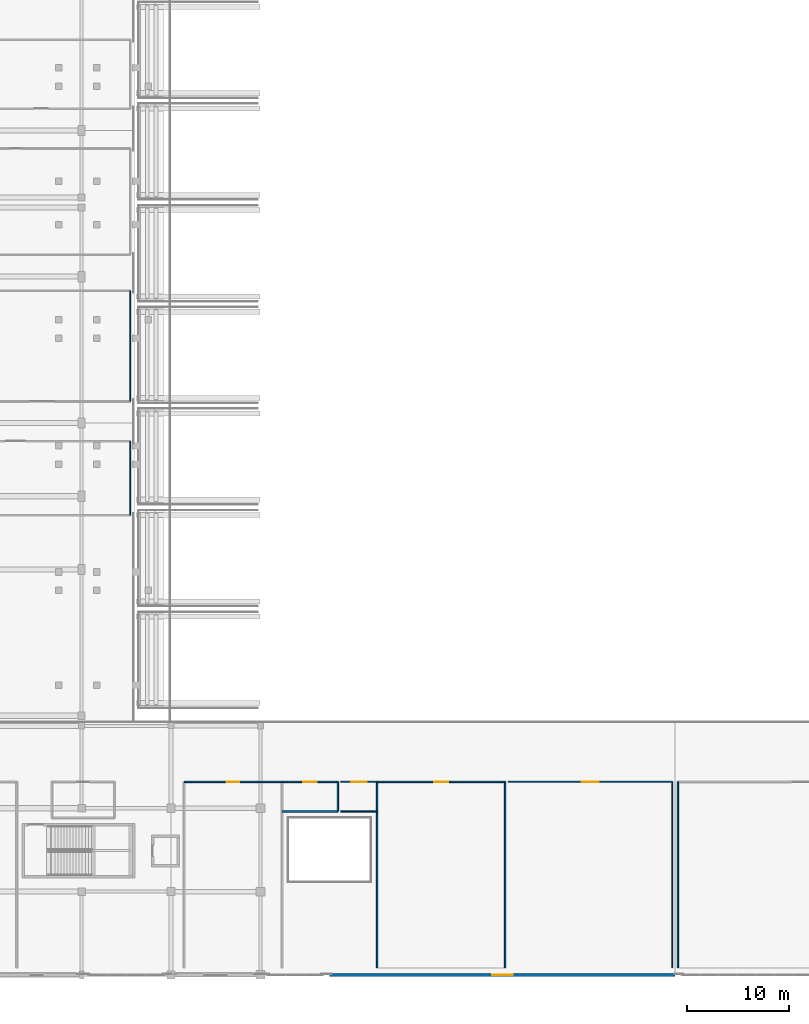
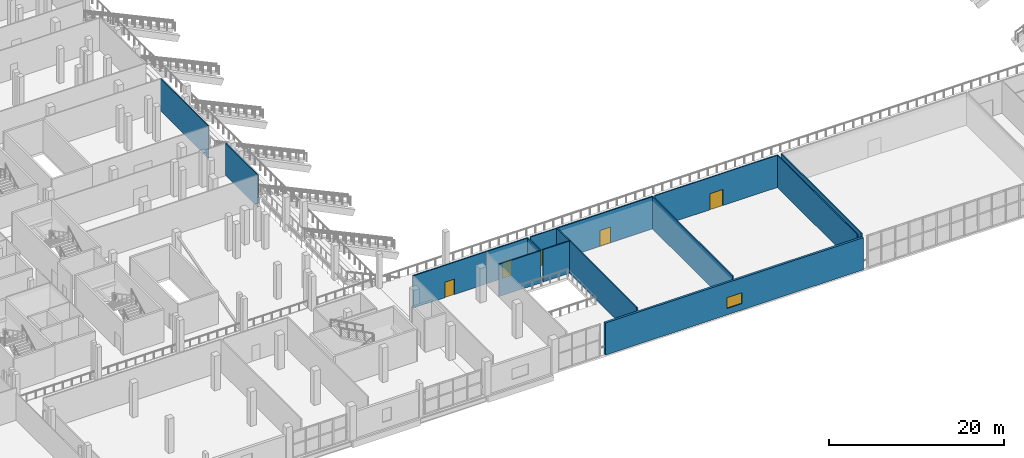
# One storey, part 73 of 129: 15 walls, 5 doors, 1 window, 6 openings.
"""IFC4 building model written with IfcOpenShell, lengths in metres."""

import ifcopenshell
import ifcopenshell.guid

model = None  # the IFC model being written
_history = None  # IfcOwnerHistory: only IFC2X3 demands one
_inside = {}  # id of a spatial element -> (the spatial element, [elements in it])
_under = {}  # id of a project, library or spatial element -> (it, [spatial elements below it])
_declared = {}  # id of a project -> (the project, [libraries it declares])
_typed = {}  # id of a type object -> (the type object, [elements of that type])
_made_of = {}  # id of a material, layer set ... -> (it, [elements and type objects made of it])


def new_model(schema):
    """Start an empty IFC model of exactly this schema.

    Asked for "IFC4X3", IfcOpenShell would pick the latest addendum, in which some entities
    have other attributes; the version numbers below select the first issue.
    IFC2X3 requires an IfcOwnerHistory on every rooted entity: one is made here for all.
    """
    global model, _history
    if schema == "IFC4X3":
        model = ifcopenshell.file(schema_version=(4, 3, 0, 0))
    else:
        model = ifcopenshell.file(schema=schema)
    _inside.clear()
    _under.clear()
    _declared.clear()
    _typed.clear()
    _made_of.clear()
    _history = None
    if model.schema == "IFC2X3":
        org = make("IfcOrganization", Name="unknown")
        user = make(
            "IfcPersonAndOrganization",
            ThePerson=make("IfcPerson", FamilyName="unknown"),
            TheOrganization=org,
        )
        app = make(
            "IfcApplication",
            ApplicationDeveloper=org,
            Version="unknown",
            ApplicationFullName="unknown",
            ApplicationIdentifier="unknown",
        )
        _history = make(
            "IfcOwnerHistory",
            OwningUser=user,
            OwningApplication=app,
            ChangeAction="ADDED",
            CreationDate=0,
        )
    return model


def make(cls, **values):
    """One entity of the class cls with the attributes given. An attribute that is None is left unset."""
    return model.create_entity(
        cls, **{name: value for name, value in values.items() if value is not None}
    )


def rooted(cls, **values):
    """An entity with a GlobalId (a new one), such as an element, a storey or a relation."""
    return make(cls, GlobalId=ifcopenshell.guid.new(), OwnerHistory=_history, **values)


def si_unit(unit_type, name, prefix=None):
    """IfcSIUnit, for example si_unit("LENGTHUNIT", "METRE", prefix="MILLI")."""
    return make("IfcSIUnit", UnitType=unit_type, Prefix=prefix, Name=name)


def assignment(units):
    """IfcUnitAssignment: the units of a project."""
    return None if units is None else make("IfcUnitAssignment", Units=units)


def point(xyz):
    """IfcCartesianPoint."""
    return None if xyz is None else make("IfcCartesianPoint", Coordinates=xyz)


def direction(xyz):
    """IfcDirection."""
    return None if xyz is None else make("IfcDirection", DirectionRatios=xyz)


def frame(location, z_axis=None, x_axis=None):
    """IfcAxis2Placement3D, a coordinate frame: its origin and axes. An axis left out is left unset."""
    return make(
        "IfcAxis2Placement3D",
        Location=point(location),
        Axis=direction(z_axis),
        RefDirection=direction(x_axis),
    )


def frame_2d(location, x_axis=None):
    """IfcAxis2Placement2D, a coordinate frame in the plane: its origin and x axis."""
    return make(
        "IfcAxis2Placement2D", Location=point(location), RefDirection=direction(x_axis)
    )


def origin():
    """The frame at (0, 0, 0) with its axes left unset."""
    return frame((0.0, 0.0, 0.0))


def place(relative_to, where):
    """IfcLocalPlacement: puts the frame where relative to a parent placement (None: the world)."""
    return make(
        "IfcLocalPlacement", PlacementRelTo=relative_to, RelativePlacement=where
    )


def context(
    kind, dimensions, precision=None, world=None, true_north=None, identifier=None
):
    """IfcGeometricRepresentationContext, for example the 3D "Model" context."""
    return make(
        "IfcGeometricRepresentationContext",
        ContextIdentifier=identifier,
        ContextType=kind,
        CoordinateSpaceDimension=dimensions,
        Precision=precision,
        WorldCoordinateSystem=world,
        TrueNorth=true_north,
    )


def subcontext(parent, identifier, kind, view, scale=None):
    """IfcGeometricRepresentationSubContext, for example "Body" below "Model"."""
    return make(
        "IfcGeometricRepresentationSubContext",
        ContextIdentifier=identifier,
        ContextType=kind,
        ParentContext=parent,
        TargetScale=scale,
        TargetView=view,
    )


def project(units=None, contexts=None):
    """IfcProject with its units and contexts."""
    return rooted(
        "IfcProject",
        Name="project",
        RepresentationContexts=contexts,
        UnitsInContext=assignment(units),
    )


def spatial(cls, under=None, at=None, **own):
    """A site, building, storey or space (cls), placed at a placement, below another one or the project."""
    s = rooted(cls, ObjectPlacement=at, **own)
    if under is not None:
        _under.setdefault(under.id(), (under, []))[1].append(s)
    return s


def profile(cls, at=None, kind="AREA", **sizes):
    """A parametric profile (cls). Its sizes go by their IFC names, for example OverallWidth=200.0."""
    return make(cls, ProfileType=kind, Position=at, **sizes)


def rectangle(**sizes):
    """IfcRectangleProfileDef."""
    return profile("IfcRectangleProfileDef", **sizes)


def extrude(swept, where, along, depth):
    """IfcExtrudedAreaSolid: the profile swept, set in the frame where, extruded along a direction by depth."""
    return make(
        "IfcExtrudedAreaSolid",
        SweptArea=swept,
        Position=where,
        ExtrudedDirection=direction(along),
        Depth=depth,
    )


def shape(context_of_items, identifier, shape_type, items):
    """IfcShapeRepresentation: the items that make up one representation, for example the "Body"."""
    return make(
        "IfcShapeRepresentation",
        ContextOfItems=context_of_items,
        RepresentationIdentifier=identifier,
        RepresentationType=shape_type,
        Items=items,
    )


def material(Name=None, Category=None):
    """IfcMaterial."""
    return make("IfcMaterial", Name=Name, Category=Category)


def layer(
    of_material, thickness, ventilated=None, Name=None, Category=None, Priority=None
):
    """IfcMaterialLayer: one layer of a wall or slab, of a material (None: an air gap)."""
    return make(
        "IfcMaterialLayer",
        Material=of_material,
        LayerThickness=thickness,
        IsVentilated=ventilated,
        Name=Name,
        Category=Category,
        Priority=Priority,
    )


def layer_set(layers, Name=None):
    """IfcMaterialLayerSet."""
    return make("IfcMaterialLayerSet", MaterialLayers=layers, LayerSetName=Name)


def made_of(thing, what):
    """Note that an element or type object is made of a material, layer set ...; save() writes the relation."""
    if what is not None:
        _made_of.setdefault(what.id(), (what, []))[1].append(thing)
    return thing


def type_object(cls, material=None, **own):
    """A type object (cls), such as IfcWallType, which elements share."""
    return made_of(rooted(cls, **own), material)


def element(
    cls,
    number,
    at=None,
    inside=None,
    cuts=None,
    type_object=None,
    material=None,
    context=None,
    identifier="Body",
    shape_type=None,
    held_by="IfcProductDefinitionShape",
    body=None,
    shapes=None,
    **own,
):
    """One element of the class cls, such as IfcWall. Its Tag is "e" and its number.

    at: its placement. inside: the storey or other place that contains it. cuts: it is an
    opening in that element (IfcRelVoidsElement). A single representation is given by context,
    identifier, shape_type and body (its items); several are given by shapes. held_by: the class
    of the entity that holds the representations. save() writes the other relations.
    """
    e = rooted(cls, Tag="e%d" % number, ObjectPlacement=at, **own)
    if body is not None:
        shapes = [shape(context, identifier, shape_type, body)]
    if shapes is not None:
        e.Representation = make(held_by, Representations=shapes)
    if inside is not None:
        _inside.setdefault(inside.id(), (inside, []))[1].append(e)
    if cuts is not None:
        rooted(
            "IfcRelVoidsElement", RelatingBuildingElement=cuts, RelatedOpeningElement=e
        )
    if type_object is not None:
        _typed.setdefault(type_object.id(), (type_object, []))[1].append(e)
    return made_of(e, material)


def fill(opening, filler):
    """IfcRelFillsElement: the door or window that sits in an opening."""
    return rooted(
        "IfcRelFillsElement",
        RelatingOpeningElement=opening,
        RelatedBuildingElement=filler,
    )


def aggregate(whole, parts):
    """IfcRelAggregates: a whole, such as a stair, and the parts it consists of."""
    return rooted("IfcRelAggregates", RelatingObject=whole, RelatedObjects=parts)


def save(model, path):
    """Write the relations noted so far, then the file.

    IfcRelAggregates (storeys below a building ...), IfcRelContainedInSpatialStructure (elements
    in a storey), IfcRelDefinesByType, IfcRelAssociatesMaterial and IfcRelDeclares: one each for
    every whole, place, type object, material and project.
    """
    for whole, parts in _under.values():
        aggregate(whole, parts)
    for where, things in _inside.values():
        rooted(
            "IfcRelContainedInSpatialStructure",
            RelatedElements=things,
            RelatingStructure=where,
        )
    for kind, things in _typed.values():
        rooted("IfcRelDefinesByType", RelatedObjects=things, RelatingType=kind)
    for what, things in _made_of.values():
        rooted("IfcRelAssociatesMaterial", RelatedObjects=things, RelatingMaterial=what)
    for by, libraries in _declared.values():
        rooted("IfcRelDeclares", RelatingContext=by, RelatedDefinitions=libraries)
    model.write(path)


model = new_model("IFC4")

# Units and contexts
model_context = context("Model", 3, precision=1e-05, world=origin(), true_north=direction((0.0, 1.0)))
body_context = subcontext(model_context, "Body", "Model", "MODEL_VIEW")
ifc_project = project(units=[si_unit("LENGTHUNIT", "METRE"), si_unit("AREAUNIT", "SQUARE_METRE"), si_unit("VOLUMEUNIT", "CUBIC_METRE"), si_unit("PLANEANGLEUNIT", "RADIAN"), si_unit("MASSUNIT", "GRAM", prefix="KILO")], contexts=[model_context])

# Site, building, storey
site_placement = place(None, origin())
site = spatial("IfcSite", under=ifc_project, at=site_placement, CompositionType="ELEMENT")
building_placement = place(site_placement, origin())
building = spatial("IfcBuilding", under=site, at=building_placement, Name="Koshinbarg Plaza Stadium", CompositionType="ELEMENT")
storey_placement = place(building_placement, frame((0.0, 0.0, 5.39990234375)))
storey = spatial("IfcBuildingStorey", under=building, at=storey_placement, Name="L01", CompositionType="ELEMENT", Elevation=5.39990234375)

# Wall, opening, window
ifc_material_1 = material(Name="Terracotta-ochre mineral plaster insulated wall", Category="masonry")
ifc_layer_1 = layer(ifc_material_1, 0.280029296875)
ifc_layer_set_1 = layer_set([ifc_layer_1], Name="Terracotta-ochre mineral plaster insulated wall")
wall_type_1 = type_object("IfcWallType", Name="WL-EXT-280", PredefinedType="SOLIDWALL", material=ifc_layer_set_1)
wall_1_placement = place(storey_placement, frame((122.0, 0.0, 0.0), z_axis=(0.0, 0.0, 1.0), x_axis=(-1.0, 0.0, 0.0)))
wall_1 = element("IfcWall", 1, at=wall_1_placement, inside=storey, type_object=wall_type_1, Name="L01 exterior envelope wall EWL-L01-0104", PredefinedType="SOLIDWALL", context=body_context, shape_type="SweptSolid", body=[
    extrude(rectangle(XDim=34.0, YDim=0.280029296875, at=frame_2d((17.0, 0.0))), origin(), (0.0, 0.0, 1.0), 4.47998046875),
])
opening_1_placement = place(wall_1_placement, frame((16.0, 0.0, 0.89990234375)))
opening_1 = element("IfcOpeningElement", 2, at=opening_1_placement, cuts=wall_1, Name="Opening WN05", PredefinedType="OPENING", context=body_context, shape_type="SweptSolid", body=[
    extrude(rectangle(XDim=2.0, YDim=1.5, at=frame_2d((1.0, 0.75))), frame((0.0, 0.14990234375, 0.0), z_axis=(0.0, -1.0, 0.0), x_axis=(1.0, 0.0, 0.0)), (0.0, 0.0, 1.0), 0.300048828125),
])
ifc_material_2 = material(Name="Solar-control double glazing in thermally broken aluminium frame", Category="aluminium")
window_type = type_object("IfcWindowType", Name="WN-FAC-05", PartitioningType="DOUBLE_PANEL_VERTICAL", PredefinedType="WINDOW", material=ifc_material_2)
window_placement = place(opening_1_placement, origin())
window = element("IfcWindow", 3, at=window_placement, inside=storey, type_object=window_type, Name="L01 facade window 0043", OverallHeight=1.5, OverallWidth=2.0, PartitioningType="SINGLE_PANEL", PredefinedType="WINDOW", context=body_context, shape_type="SweptSolid", body=[
    extrude(rectangle(XDim=2.0, YDim=1.5, at=frame_2d((1.0, 0.75))), frame((0.0, 0.030029296875, 0.0), z_axis=(0.0, -1.0, 0.0), x_axis=(1.0, 0.0, 0.0)), (0.0, 0.0, 1.0), 0.06005859375),
])
fill(opening_1, window)

# Walls
ifc_material_3 = material(Name="Gypsum board metal-stud acoustic partition")
ifc_layer_2 = layer(ifc_material_3, 0.1201171875)
ifc_layer_set_2 = layer_set([ifc_layer_2], Name="Gypsum board metal-stud acoustic partition")
wall_type_2 = type_object("IfcWallType", Name="WL-PART-120", PredefinedType="PARTITIONING", material=ifc_layer_set_2)
wall_2_placement = place(storey_placement, frame((68.39990234375, 45.230712890625, 0.0), z_axis=(0.0, 0.0, 1.0), x_axis=(0.0, 1.0, 0.0)))
element("IfcWall", 4, at=wall_2_placement, inside=storey, type_object=wall_type_2, Name="L01 interior partition L01-81-east IWL-L01-1356", PredefinedType="PARTITIONING", context=body_context, shape_type="SweptSolid", body=[
    extrude(rectangle(XDim=7.289306640625, YDim=0.1201171875, at=frame_2d((3.64453125, 0.0))), origin(), (0.0, 0.0, 1.0), 4.5),
])
wall_3_placement = place(storey_placement, frame((68.39990234375, 56.429931640625, 0.0), z_axis=(0.0, 0.0, 1.0), x_axis=(0.0, 1.0, 0.0)))
element("IfcWall", 5, at=wall_3_placement, inside=storey, type_object=wall_type_2, Name="L01 interior partition L01-86-east IWL-L01-1369", PredefinedType="PARTITIONING", context=body_context, shape_type="SweptSolid", body=[
    extrude(rectangle(XDim=10.900146484375, YDim=0.1201171875, at=frame_2d((5.4501953125, 0.0))), origin(), (0.0, 0.0, 1.0), 4.5),
])
wall_4_placement = place(storey_placement, frame((89.123291015625, 16.080078125, 0.0), z_axis=(0.0, 0.0, 1.0), x_axis=(1.0, 0.0, 0.0)))
element("IfcWall", 6, at=wall_4_placement, inside=storey, type_object=wall_type_2, Name="L01 interior partition L01-146-south IWL-L01-1534", PredefinedType="PARTITIONING", context=body_context, shape_type="SweptSolid", body=[
    extrude(rectangle(XDim=3.556640625, YDim=0.1201171875, at=frame_2d((1.7783203125, 0.0))), origin(), (0.0, 0.0, 1.0), 4.5),
])

# Wall, opening, door
wall_5_placement = place(storey_placement, frame((92.679931640625, 19.0, 0.0), z_axis=(0.0, 0.0, 1.0), x_axis=(-1.0, 0.0, 0.0)))
wall_5 = element("IfcWall", 7, at=wall_5_placement, inside=storey, type_object=wall_type_2, Name="L01 interior partition L01-146-north IWL-L01-1535", PredefinedType="PARTITIONING", context=body_context, shape_type="SweptSolid", body=[
    extrude(rectangle(XDim=3.556640625, YDim=0.1201171875, at=frame_2d((1.7783203125, 0.0))), origin(), (0.0, 0.0, 1.0), 4.5),
])
opening_2_placement = place(wall_5_placement, frame((1.00341796875, 0.0, 0.0)))
opening_2 = element("IfcOpeningElement", 8, at=opening_2_placement, cuts=wall_5, Name="Opening D-0512", PredefinedType="OPENING", context=body_context, shape_type="SweptSolid", body=[
    extrude(rectangle(XDim=1.550048828125, YDim=2.199951171875, at=frame_2d((0.77490234375, 1.10009765625))), frame((0.0, 0.070068359375, 0.0), z_axis=(0.0, -1.0, 0.0), x_axis=(1.0, 0.0, 0.0)), (0.0, 0.0, 1.0), 0.14013671875),
])
ifc_material_4 = material(Name="Toughened laminated glass in aluminium frame", Category="aluminium")
door_type_1 = type_object("IfcDoorType", Name="DR-INT-1550x2200", OperationType="NOTDEFINED", PredefinedType="DOOR", material=ifc_material_4)
door_1_placement = place(opening_2_placement, origin())
door_1 = element("IfcDoor", 9, at=door_1_placement, inside=storey, type_object=door_type_1, Name="L01 South Public Concourse door D-0512", OperationType="DOUBLE_DOOR_SINGLE_SWING", OverallHeight=2.199951171875, OverallWidth=1.550048828125, PredefinedType="DOOR", context=body_context, shape_type="SweptSolid", body=[
    extrude(rectangle(XDim=1.550048828125, YDim=2.199951171875, at=frame_2d((0.77490234375, 1.10009765625))), frame((0.0, 0.02490234375, 0.0), z_axis=(0.0, -1.0, 0.0), x_axis=(1.0, 0.0, 0.0)), (0.0, 0.0, 1.0), 0.050048828125),
])
fill(opening_2, door_1)

# Wall
wall_6_placement = place(storey_placement, frame((121.72998046875, 0.699951171875, 0.0), z_axis=(0.0, 0.0, 1.0), x_axis=(0.0, 1.0, 0.0)))
element("IfcWall", 10, at=wall_6_placement, inside=storey, type_object=wall_type_2, Name="L01 interior partition L01-147-east IWL-L01-1536", PredefinedType="PARTITIONING", context=body_context, shape_type="SweptSolid", body=[
    extrude(rectangle(XDim=18.300048828125, YDim=0.1201171875, at=frame_2d((9.14990234375, 0.0))), origin(), (0.0, 0.0, 1.0), 4.5),
])

# Wall, opening, door
wall_7_placement = place(storey_placement, frame((121.72998046875, 19.0, 0.0), z_axis=(0.0, 0.0, 1.0), x_axis=(-1.0, 0.0, 0.0)))
wall_7 = element("IfcWall", 11, at=wall_7_placement, inside=storey, type_object=wall_type_2, Name="L01 interior partition L01-147-north IWL-L01-1537", PredefinedType="PARTITIONING", context=body_context, shape_type="SweptSolid", body=[
    extrude(rectangle(XDim=16.1533203125, YDim=0.1201171875, at=frame_2d((8.07666015625, 0.0))), origin(), (0.0, 0.0, 1.0), 4.5),
])
opening_3_placement = place(wall_7_placement, frame((7.23681640625, 0.0, 0.0)))
opening_3 = element("IfcOpeningElement", 12, at=opening_3_placement, cuts=wall_7, Name="Opening D-0513", PredefinedType="OPENING", context=body_context, shape_type="SweptSolid", body=[
    extrude(rectangle(XDim=1.679931640625, YDim=2.25, at=frame_2d((0.83984375, 1.125))), frame((0.0, 0.070068359375, 0.0), z_axis=(0.0, -1.0, 0.0), x_axis=(1.0, 0.0, 0.0)), (0.0, 0.0, 1.0), 0.14013671875),
])
ifc_material_5 = material(Name="Powder-coated aluminium double glazed door", Category="aluminium")
door_type_2 = type_object("IfcDoorType", Name="DR-INT-1680x2250", OperationType="NOTDEFINED", PredefinedType="DOOR", material=ifc_material_5)
door_2_placement = place(opening_3_placement, origin())
door_2 = element("IfcDoor", 13, at=door_2_placement, inside=storey, type_object=door_type_2, Name="L01 South Public Concourse door D-0513", OperationType="DOUBLE_DOOR_SINGLE_SWING", OverallHeight=2.25, OverallWidth=1.679931640625, PredefinedType="DOOR", context=body_context, shape_type="SweptSolid", body=[
    extrude(rectangle(XDim=1.679931640625, YDim=2.25, at=frame_2d((0.83984375, 1.125))), frame((0.0, 0.02490234375, 0.0), z_axis=(0.0, -1.0, 0.0), x_axis=(1.0, 0.0, 0.0)), (0.0, 0.0, 1.0), 0.050048828125),
])
fill(opening_3, door_2)

ifc_material_6 = material(Name="Double-layer gypsum acoustic suite partition")
ifc_layer_3 = layer(ifc_material_6, 0.14990234375)
ifc_layer_set_3 = layer_set([ifc_layer_3], Name="Double-layer gypsum acoustic suite partition")
wall_type_3 = type_object("IfcWallType", Name="WL-PART-150", PredefinedType="PARTITIONING", material=ifc_layer_set_3)
wall_8_placement = place(storey_placement, frame((83.320068359375, 19.0, 0.0), z_axis=(0.0, 0.0, 1.0), x_axis=(-1.0, 0.0, 0.0)))
wall_8 = element("IfcWall", 14, at=wall_8_placement, inside=storey, type_object=wall_type_3, Name="L01 interior partition L01-143-north IWL-L01-1526", PredefinedType="PARTITIONING", context=body_context, shape_type="SweptSolid", body=[
    extrude(rectangle(XDim=9.64013671875, YDim=0.14990234375, at=frame_2d((4.820068359375, 0.0))), origin(), (0.0, 0.0, 1.0), 4.5),
])
opening_4_placement = place(wall_8_placement, frame((4.219970703125, 0.0, 0.0)))
opening_4 = element("IfcOpeningElement", 15, at=opening_4_placement, cuts=wall_8, Name="Opening D-0509", PredefinedType="OPENING", context=body_context, shape_type="SweptSolid", body=[
    extrude(rectangle(XDim=1.199951171875, YDim=2.14990234375, at=frame_2d((0.60009765625, 1.074951171875))), frame((0.0, 0.0849609375, 0.0), z_axis=(0.0, -1.0, 0.0), x_axis=(1.0, 0.0, 0.0)), (0.0, 0.0, 1.0), 0.169921875),
])
ifc_material_7 = material(Name="Solid-core hardwood leaf in painted steel frame", Category="steel")
door_type_3 = type_object("IfcDoorType", Name="DR-INT-1200x2150", OperationType="NOTDEFINED", PredefinedType="DOOR", material=ifc_material_7)
door_3_placement = place(opening_4_placement, origin())
door_3 = element("IfcDoor", 16, at=door_3_placement, inside=storey, type_object=door_type_3, Name="L01 Athlete Recovery Lounge door D-0509", OperationType="SINGLE_SWING_LEFT", OverallHeight=2.14990234375, OverallWidth=1.199951171875, PredefinedType="DOOR", context=body_context, shape_type="SweptSolid", body=[
    extrude(rectangle(XDim=1.199951171875, YDim=2.14990234375, at=frame_2d((0.60009765625, 1.074951171875))), frame((0.0, 0.02490234375, 0.0), z_axis=(0.0, -1.0, 0.0), x_axis=(1.0, 0.0, 0.0)), (0.0, 0.0, 1.0), 0.050048828125),
])
fill(opening_4, door_3)

# Walls
wall_9_placement = place(storey_placement, frame((83.320068359375, 16.080078125, 0.0), z_axis=(0.0, 0.0, 1.0), x_axis=(1.0, 0.0, 0.0)))
element("IfcWall", 17, at=wall_9_placement, inside=storey, type_object=wall_type_3, Name="L01 interior partition L01-144-south IWL-L01-1528", PredefinedType="PARTITIONING", context=body_context, shape_type="SweptSolid", body=[
    extrude(rectangle(XDim=5.503173828125, YDim=0.14990234375, at=frame_2d((2.75146484375, 0.0))), origin(), (0.0, 0.0, 1.0), 4.5),
])
wall_10_placement = place(storey_placement, frame((88.8232421875, 16.080078125, 0.0), z_axis=(0.0, 0.0, 1.0), x_axis=(0.0, 1.0, 0.0)))
element("IfcWall", 18, at=wall_10_placement, inside=storey, type_object=wall_type_3, Name="L01 interior partition L01-144-east IWL-L01-1529", PredefinedType="PARTITIONING", context=body_context, shape_type="SweptSolid", body=[
    extrude(rectangle(XDim=2.919921875, YDim=0.14990234375, at=frame_2d((1.4599609375, 0.0))), origin(), (0.0, 0.0, 1.0), 4.5),
])

# Wall, opening, door
wall_11_placement = place(storey_placement, frame((88.8232421875, 19.0, 0.0), z_axis=(0.0, 0.0, 1.0), x_axis=(-1.0, 0.0, 0.0)))
wall_11 = element("IfcWall", 19, at=wall_11_placement, inside=storey, type_object=wall_type_3, Name="L01 interior partition L01-144-north IWL-L01-1530", PredefinedType="PARTITIONING", context=body_context, shape_type="SweptSolid", body=[
    extrude(rectangle(XDim=5.503173828125, YDim=0.14990234375, at=frame_2d((2.75146484375, 0.0))), origin(), (0.0, 0.0, 1.0), 4.5),
])
opening_5_placement = place(wall_11_placement, frame((2.101806640625, 0.0, 0.0)))
opening_5 = element("IfcOpeningElement", 20, at=opening_5_placement, cuts=wall_11, Name="Opening D-0510", PredefinedType="OPENING", context=body_context, shape_type="SweptSolid", body=[
    extrude(rectangle(XDim=1.300048828125, YDim=2.199951171875, at=frame_2d((0.64990234375, 1.10009765625))), frame((0.0, 0.0849609375, 0.0), z_axis=(0.0, -1.0, 0.0), x_axis=(1.0, 0.0, 0.0)), (0.0, 0.0, 1.0), 0.169921875),
])
ifc_material_8 = material(Name="Thermally broken anodised aluminium glazed door", Category="aluminium")
door_type_4 = type_object("IfcDoorType", Name="DR-INT-1300x2200", OperationType="NOTDEFINED", PredefinedType="DOOR", material=ifc_material_8)
door_4_placement = place(opening_5_placement, origin())
door_4 = element("IfcDoor", 21, at=door_4_placement, inside=storey, type_object=door_type_4, Name="L01 Television Interview Studio door D-0510", OperationType="SINGLE_SWING_RIGHT", OverallHeight=2.199951171875, OverallWidth=1.300048828125, PredefinedType="DOOR", context=body_context, shape_type="SweptSolid", body=[
    extrude(rectangle(XDim=1.300048828125, YDim=2.199951171875, at=frame_2d((0.64990234375, 1.10009765625))), frame((0.0, 0.02490234375, 0.0), z_axis=(0.0, -1.0, 0.0), x_axis=(1.0, 0.0, 0.0)), (0.0, 0.0, 1.0), 0.050048828125),
])
fill(opening_5, door_4)

# Wall
wall_12_placement = place(storey_placement, frame((105.276611328125, 0.699951171875, 0.0), z_axis=(0.0, 0.0, 1.0), x_axis=(0.0, 1.0, 0.0)))
element("IfcWall", 22, at=wall_12_placement, inside=storey, type_object=wall_type_3, Name="L01 interior partition L01-145-east IWL-L01-1531", PredefinedType="PARTITIONING", context=body_context, shape_type="SweptSolid", body=[
    extrude(rectangle(XDim=18.300048828125, YDim=0.14990234375, at=frame_2d((9.14990234375, 0.0))), origin(), (0.0, 0.0, 1.0), 4.5),
])

# Wall, opening, door
wall_13_placement = place(storey_placement, frame((105.276611328125, 19.0, 0.0), z_axis=(0.0, 0.0, 1.0), x_axis=(-1.0, 0.0, 0.0)))
wall_13 = element("IfcWall", 23, at=wall_13_placement, inside=storey, type_object=wall_type_3, Name="L01 interior partition L01-145-north IWL-L01-1532", PredefinedType="PARTITIONING", context=body_context, shape_type="SweptSolid", body=[
    extrude(rectangle(XDim=12.5966796875, YDim=0.14990234375, at=frame_2d((6.29833984375, 0.0))), origin(), (0.0, 0.0, 1.0), 4.5),
])
opening_6_placement = place(wall_13_placement, frame((5.598388671875, 0.0, 0.0)))
opening_6 = element("IfcOpeningElement", 24, at=opening_6_placement, cuts=wall_13, Name="Opening D-0511", PredefinedType="OPENING", context=body_context, shape_type="SweptSolid", body=[
    extrude(rectangle(XDim=1.39990234375, YDim=2.199951171875, at=frame_2d((0.699951171875, 1.10009765625))), frame((0.0, 0.0849609375, 0.0), z_axis=(0.0, -1.0, 0.0), x_axis=(1.0, 0.0, 0.0)), (0.0, 0.0, 1.0), 0.169921875),
])
ifc_material_9 = material(Name="Stainless-clad solid-core timber double fire door", Category="wood")
door_type_5 = type_object("IfcDoorType", Name="DR-INT-1400x2200", OperationType="NOTDEFINED", PredefinedType="DOOR", material=ifc_material_9)
door_5_placement = place(opening_6_placement, origin())
door_5 = element("IfcDoor", 25, at=door_5_placement, inside=storey, type_object=door_type_5, Name="L01 Television Interview Studio door D-0511", OperationType="DOUBLE_DOOR_SINGLE_SWING", OverallHeight=2.199951171875, OverallWidth=1.39990234375, PredefinedType="DOOR", context=body_context, shape_type="SweptSolid", body=[
    extrude(rectangle(XDim=1.39990234375, YDim=2.199951171875, at=frame_2d((0.699951171875, 1.10009765625))), frame((0.0, 0.02490234375, 0.0), z_axis=(0.0, -1.0, 0.0), x_axis=(1.0, 0.0, 0.0)), (0.0, 0.0, 1.0), 0.050048828125),
])
fill(opening_6, door_5)

# Walls
for number, where, z_axis, x_axis, name in (
    (26, (92.679931640625, 19.0, 0.0), (0.0, 0.0, 1.0), (0.0, -1.0, 0.0), "L01 interior partition L01-145-west IWL-L01-1533"),
    (27, (122.27001953125, 19.0, 0.0), (0.0, 0.0, 1.0), (0.0, -1.0, 0.0), "L01 interior partition L01-148-west IWL-L01-1540"),
):
    element("IfcWall", number, at=place(storey_placement, frame(where, z_axis=z_axis, x_axis=x_axis)), inside=storey, type_object=wall_type_3, Name=name, PredefinedType="PARTITIONING", context=body_context, shape_type="SweptSolid", body=[
        extrude(rectangle(XDim=18.300048828125, YDim=0.14990234375, at=frame_2d((9.14990234375, 0.0))), origin(), (0.0, 0.0, 1.0), 4.5),
    ])

save(model, "model.ifc")
